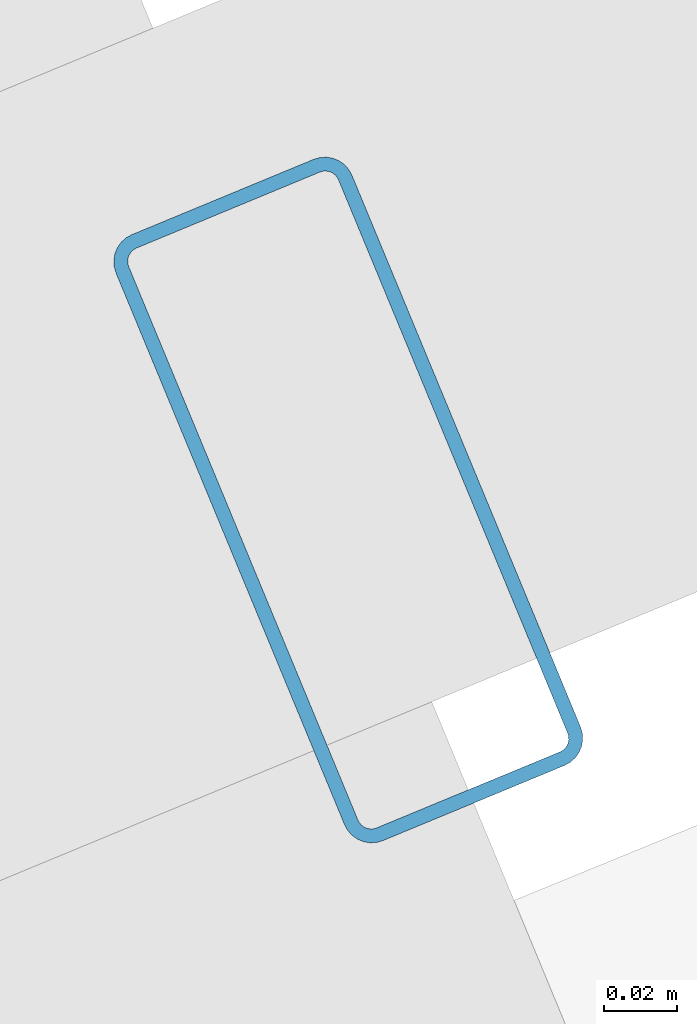
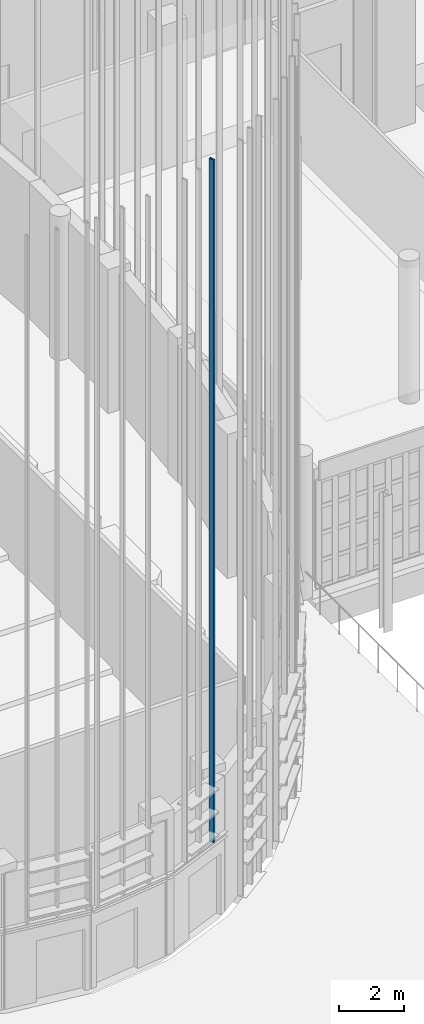
# One storey, part 45 of 372: 1 member.
"""IFC4 building model written with IfcOpenShell, lengths in metres."""

from ifc_helpers import new_model, si_unit, direction, frame, origin, origin_2d, place, context, subcontext, project, spatial, hollow_rectangle, extrude, material, material_profile, profile_set, type_object, element, save


model = new_model("IFC4")

# Units and contexts
model_context = context("Model", 3, precision=1e-05, world=origin(), true_north=direction((0.0, 1.0)))
body_context = subcontext(model_context, "Body", "Model", "MODEL_VIEW")
ifc_project = project(units=[si_unit("LENGTHUNIT", "METRE"), si_unit("AREAUNIT", "SQUARE_METRE"), si_unit("VOLUMEUNIT", "CUBIC_METRE"), si_unit("PLANEANGLEUNIT", "RADIAN"), si_unit("MASSUNIT", "GRAM", prefix="KILO")], contexts=[model_context])

# Site, building, storey
site_placement = place(None, origin())
site = spatial("IfcSite", under=ifc_project, at=site_placement, CompositionType="ELEMENT")
building_placement = place(site_placement, origin())
building = spatial("IfcBuilding", under=site, at=building_placement, Name="Kaelora Sail Theatre", CompositionType="ELEMENT")
storey_placement = place(building_placement, origin())
storey = spatial("IfcBuildingStorey", under=building, at=storey_placement, Name="L00", CompositionType="ELEMENT", Elevation=0.0)

# Member
ifc_material = material(Name="Anodised aluminium 6063-T6", Category="aluminium")
ifc_material_profile = material_profile(ifc_material, hollow_rectangle(XDim=0.070068359375, YDim=0.179931640625, WallThickness=0.00390625, InnerFilletRadius=0.00390625, OuterFilletRadius=0.008056640625, at=origin_2d()), Name="ALU-MULL 70x180x4")
ifc_profile_set = profile_set([ifc_material_profile], Name="Anodised aluminium 6063-T6")
member_type = type_object("IfcMemberType", Name="ARC-MEM-PST-160", PredefinedType="POST", material=ifc_profile_set)
member_placement = place(storey_placement, frame((46.971435546875, 24.78955078125, 3.10009765625), z_axis=(0.0, 0.0, 1.0), x_axis=(-0.923879532511, -0.382683432365, 0.0)))
element("IfcMember", 1, at=member_placement, inside=storey, type_object=member_type, Name="Main Theatre Sail Drum solar louvre vertical support post C10-1", PredefinedType="POST", context=body_context, shape_type="SweptSolid", body=[
    extrude(hollow_rectangle(XDim=0.070068359375, YDim=0.179931640625, WallThickness=0.00390625, InnerFilletRadius=0.00390625, OuterFilletRadius=0.008056640625, at=origin_2d()), origin(), (0.0, 0.0, 1.0), 25.63330078125),
])

save(model, "model.ifc")
